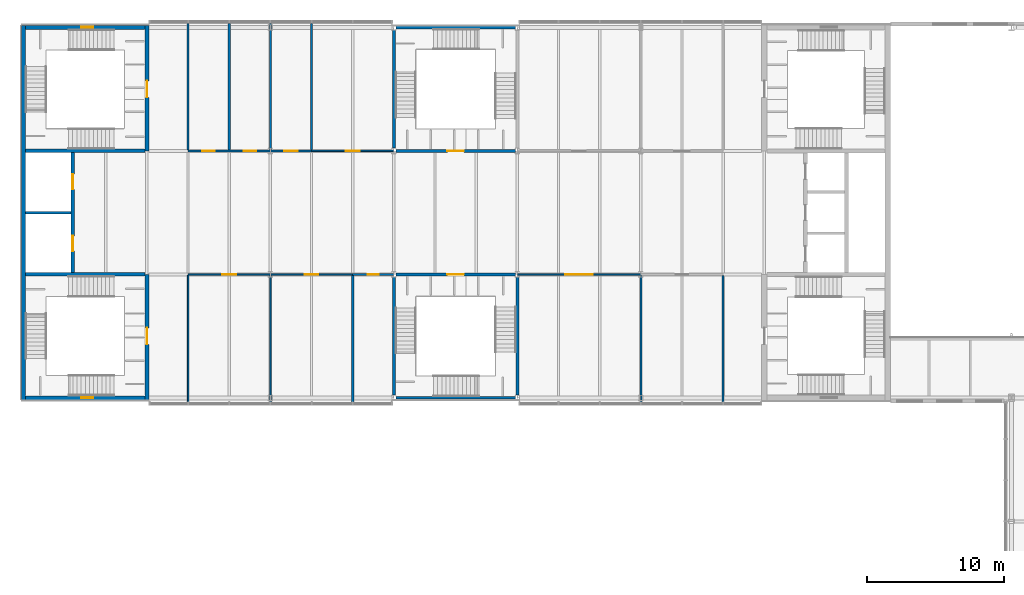
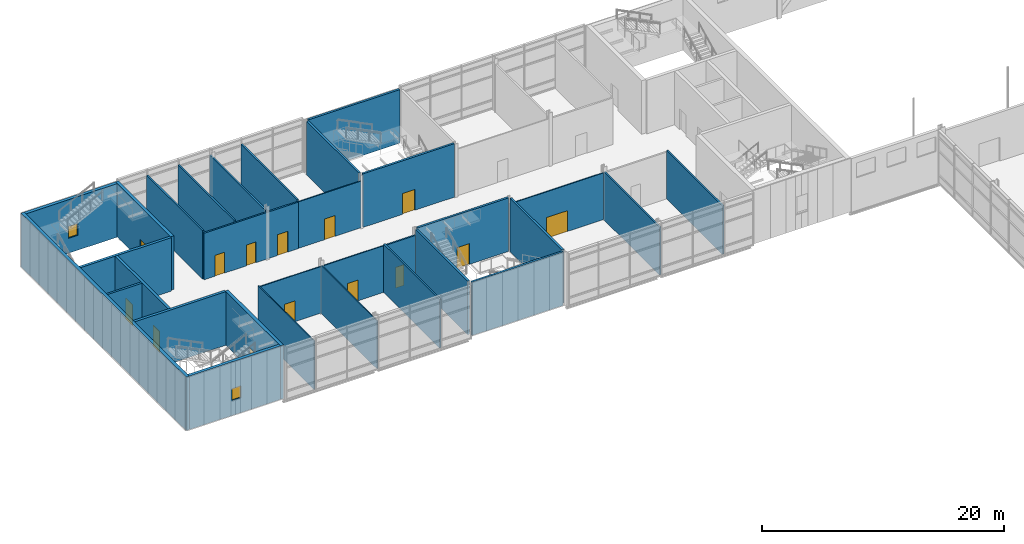
# One storey, part 39 of 56: 30 walls, 14 doors, 2 windows, 16 openings.
"""IFC4 building model written with IfcOpenShell, lengths in metres."""

from ifc_helpers import new_model, si_unit, direction, frame, frame_2d, origin, place, context, subcontext, project, spatial, rectangle, extrude, material, layer, layer_set, type_object, element, fill, save


model = new_model("IFC4")

# Units and contexts
model_context = context("Model", 3, precision=1e-05, world=origin(), true_north=direction((0.0, 1.0)))
body_context = subcontext(model_context, "Body", "Model", "MODEL_VIEW")
ifc_project = project(units=[si_unit("LENGTHUNIT", "METRE"), si_unit("AREAUNIT", "SQUARE_METRE"), si_unit("VOLUMEUNIT", "CUBIC_METRE"), si_unit("PLANEANGLEUNIT", "RADIAN"), si_unit("MASSUNIT", "GRAM", prefix="KILO")], contexts=[model_context])

# Site, building, storey
site_placement = place(None, origin())
site = spatial("IfcSite", under=ifc_project, at=site_placement, CompositionType="ELEMENT")
building_placement = place(site_placement, origin())
building = spatial("IfcBuilding", under=site, at=building_placement, Name="Azimuth Sports and Learning Centre", CompositionType="ELEMENT")
storey_placement = place(building_placement, frame((0.0, 0.0, 5.39990234375)))
storey = spatial("IfcBuildingStorey", under=building, at=storey_placement, Name="L01", CompositionType="ELEMENT", Elevation=5.39990234375)

# Wall
ifc_material_1 = material(Name="Dense masonry blockwork", Category="masonry")
ifc_layer_1 = layer(ifc_material_1, 0.199951171875)
ifc_layer_set_1 = layer_set([ifc_layer_1], Name="Dense masonry blockwork")
wall_type_1 = type_object("IfcWallType", Name="Blockwork wall 200 EI 120", PredefinedType="SOLIDWALL", material=ifc_layer_set_1)
wall_1_placement = place(storey_placement, frame((0.14990234375, 103.5, 0.0), z_axis=(0.0, 0.0, 1.0), x_axis=(1.0, 0.0, 0.0)))
element("IfcWall", 1, at=wall_1_placement, inside=storey, type_object=wall_type_1, Name="SD-WW-1-L01", PredefinedType="SOLIDWALL", context=body_context, shape_type="SweptSolid", body=[
    extrude(rectangle(XDim=3.3251953125, YDim=0.199951171875, at=frame_2d((1.66259765625, 0.0))), origin(), (0.0, 0.0, 1.0), 5.400146484375),
])

# Wall, openings, doors
ifc_material_2 = material(Name="Gypsum board on steel studs", Category="steel")
ifc_layer_2 = layer(ifc_material_2, 0.10009765625)
ifc_layer_set_2 = layer_set([ifc_layer_2], Name="Gypsum board on steel studs")
wall_type_2 = type_object("IfcWallType", Name="Partition 100 EI 30", PredefinedType="PARTITIONING", material=ifc_layer_set_2)
wall_2_placement = place(storey_placement, frame((12.0, 99.0, 0.0), z_axis=(0.0, 0.0, 1.0), x_axis=(1.0, 0.0, 0.0)))
wall_2 = element("IfcWall", 2, at=wall_2_placement, inside=storey, type_object=wall_type_2, Name="Partition 100 EI 30", PredefinedType="PARTITIONING", context=body_context, shape_type="SweptSolid", body=[
    extrude(rectangle(XDim=12.0, YDim=0.10009765625, at=frame_2d((6.0, 0.0))), origin(), (0.0, 0.0, 1.0), 4.7001953125),
])
opening_1_placement = place(wall_2_placement, frame((2.5, 0.0, 0.0)))
opening_1 = element("IfcOpeningElement", 3, at=opening_1_placement, cuts=wall_2, Name="Opening D01-034", PredefinedType="OPENING", context=body_context, shape_type="SweptSolid", body=[
    extrude(rectangle(XDim=1.0, YDim=2.10009765625, at=frame_2d((0.5, 1.050048828125))), frame((0.0, 0.06103515625, 0.0), z_axis=(0.0, -1.0, 0.0), x_axis=(1.0, 0.0, 0.0)), (0.0, 0.0, 1.0), 0.1220703125),
])
opening_2_placement = place(wall_2_placement, frame((8.5, 0.0, 0.0)))
opening_2 = element("IfcOpeningElement", 4, at=opening_2_placement, cuts=wall_2, Name="Opening D01-035", PredefinedType="OPENING", context=body_context, shape_type="SweptSolid", body=[
    extrude(rectangle(XDim=1.0, YDim=2.10009765625, at=frame_2d((0.5, 1.050048828125))), frame((0.0, 0.06103515625, 0.0), z_axis=(0.0, -1.0, 0.0), x_axis=(1.0, 0.0, 0.0)), (0.0, 0.0, 1.0), 0.1220703125),
])
ifc_material_3 = material(Name="Timber fire door set", Category="wood")
door_type_1 = type_object("IfcDoorType", Name="Timber door single 1000x2100 FD30S", OperationType="NOTDEFINED", PredefinedType="DOOR", material=ifc_material_3)
door_1_placement = place(opening_1_placement, frame((1.0, 0.0, 0.0), z_axis=(0.0, 0.0, 1.0), x_axis=(-1.0, 0.0, 0.0)))
door_1 = element("IfcDoor", 5, at=door_1_placement, inside=storey, type_object=door_type_1, Name="Door D01-034", OperationType="SINGLE_SWING_RIGHT", OverallHeight=2.10009765625, OverallWidth=1.0, PredefinedType="DOOR", context=body_context, shape_type="SweptSolid", body=[
    extrude(rectangle(XDim=1.0, YDim=2.10009765625, at=frame_2d((0.5, 1.050048828125))), frame((0.0, 0.02490234375, 0.0), z_axis=(0.0, -1.0, 0.0), x_axis=(1.0, 0.0, 0.0)), (0.0, 0.0, 1.0), 0.050048828125),
])
fill(opening_1, door_1)
door_2_placement = place(opening_2_placement, frame((1.0, 0.0, 0.0), z_axis=(0.0, 0.0, 1.0), x_axis=(-1.0, 0.0, 0.0)))
door_2 = element("IfcDoor", 6, at=door_2_placement, inside=storey, type_object=door_type_1, Name="Door D01-035", OperationType="SINGLE_SWING_RIGHT", OverallHeight=2.10009765625, OverallWidth=1.0, PredefinedType="DOOR", context=body_context, shape_type="SweptSolid", body=[
    extrude(rectangle(XDim=1.0, YDim=2.10009765625, at=frame_2d((0.5, 1.050048828125))), frame((0.0, 0.02490234375, 0.0), z_axis=(0.0, -1.0, 0.0), x_axis=(1.0, 0.0, 0.0)), (0.0, 0.0, 1.0), 0.050048828125),
])
fill(opening_2, door_2)

# Wall, opening, door
wall_3_placement = place(storey_placement, frame((36.0, 99.0, 0.0), z_axis=(0.0, 0.0, 1.0), x_axis=(1.0, 0.0, 0.0)))
wall_3 = element("IfcWall", 7, at=wall_3_placement, inside=storey, type_object=wall_type_2, Name="Partition 100 EI 30", PredefinedType="PARTITIONING", context=body_context, shape_type="SweptSolid", body=[
    extrude(rectangle(XDim=9.0, YDim=0.10009765625, at=frame_2d((4.5, 0.0))), origin(), (0.0, 0.0, 1.0), 4.7001953125),
])
opening_3_placement = place(wall_3_placement, frame((3.5, 0.0, 0.0)))
opening_3 = element("IfcOpeningElement", 8, at=opening_3_placement, cuts=wall_3, Name="Opening D01-037", PredefinedType="OPENING", context=body_context, shape_type="SweptSolid", body=[
    extrude(rectangle(XDim=2.0, YDim=2.10009765625, at=frame_2d((1.0, 1.050048828125))), frame((0.0, 0.06103515625, 0.0), z_axis=(0.0, -1.0, 0.0), x_axis=(1.0, 0.0, 0.0)), (0.0, 0.0, 1.0), 0.1220703125),
])
ifc_material_4 = material(Name="Timber fire door set", Category="wood")
door_type_2 = type_object("IfcDoorType", Name="Timber door double 2000x2100 FD30S", OperationType="DOUBLE_DOOR_SINGLE_SWING", PredefinedType="DOOR", material=ifc_material_4)
door_3_placement = place(opening_3_placement, frame((2.0, 0.0, 0.0), z_axis=(0.0, 0.0, 1.0), x_axis=(-1.0, 0.0, 0.0)))
door_3 = element("IfcDoor", 9, at=door_3_placement, inside=storey, type_object=door_type_2, Name="Door D01-037", OperationType="DOUBLE_DOOR_SINGLE_SWING", OverallHeight=2.10009765625, OverallWidth=2.0, PredefinedType="DOOR", context=body_context, shape_type="SweptSolid", body=[
    extrude(rectangle(XDim=2.0, YDim=2.10009765625, at=frame_2d((1.0, 1.050048828125))), frame((0.0, 0.02490234375, 0.0), z_axis=(0.0, -1.0, 0.0), x_axis=(1.0, 0.0, 0.0)), (0.0, 0.0, 1.0), 0.050048828125),
])
fill(opening_3, door_3)

wall_4_placement = place(storey_placement, frame((21.0, 108.0, 0.0), z_axis=(0.0, 0.0, 1.0), x_axis=(1.0, 0.0, 0.0)))
wall_4 = element("IfcWall", 10, at=wall_4_placement, inside=storey, type_object=wall_type_2, Name="Partition 100 EI 30", PredefinedType="PARTITIONING", context=body_context, shape_type="SweptSolid", body=[
    extrude(rectangle(XDim=6.0, YDim=0.10009765625, at=frame_2d((3.0, 0.0))), origin(), (0.0, 0.0, 1.0), 4.7001953125),
])
opening_4_placement = place(wall_4_placement, frame((2.5, 0.0, 0.0)))
opening_4 = element("IfcOpeningElement", 11, at=opening_4_placement, cuts=wall_4, Name="Opening D01-042", PredefinedType="OPENING", context=body_context, shape_type="SweptSolid", body=[
    extrude(rectangle(XDim=1.0, YDim=2.10009765625, at=frame_2d((0.5, 1.050048828125))), frame((0.0, 0.06103515625, 0.0), z_axis=(0.0, -1.0, 0.0), x_axis=(1.0, 0.0, 0.0)), (0.0, 0.0, 1.0), 0.1220703125),
])
door_4_placement = place(opening_4_placement, origin())
door_4 = element("IfcDoor", 12, at=door_4_placement, inside=storey, type_object=door_type_1, Name="Door D01-042", OperationType="SINGLE_SWING_LEFT", OverallHeight=2.10009765625, OverallWidth=1.0, PredefinedType="DOOR", context=body_context, shape_type="SweptSolid", body=[
    extrude(rectangle(XDim=1.0, YDim=2.10009765625, at=frame_2d((0.5, 1.050048828125))), frame((0.0, 0.02490234375, 0.0), z_axis=(0.0, -1.0, 0.0), x_axis=(1.0, 0.0, 0.0)), (0.0, 0.0, 1.0), 0.050048828125),
])
fill(opening_4, door_4)

# Walls
wall_5_placement = place(storey_placement, frame((12.0, 89.699951171875, 0.0), z_axis=(0.0, 0.0, 1.0), x_axis=(0.0, 1.0, 0.0)))
element("IfcWall", 13, at=wall_5_placement, inside=storey, type_object=wall_type_2, Name="Partition 100 EI 30", PredefinedType="PARTITIONING", context=body_context, shape_type="SweptSolid", body=[
    extrude(rectangle(XDim=9.25, YDim=0.10009765625, at=frame_2d((4.625, 0.0))), origin(), (0.0, 0.0, 1.0), 4.89013671875),
])
wall_6_placement = place(storey_placement, frame((18.0, 89.699951171875, 0.0), z_axis=(0.0, 0.0, 1.0), x_axis=(0.0, 1.0, 0.0)))
element("IfcWall", 14, at=wall_6_placement, inside=storey, type_object=wall_type_2, Name="Partition 100 EI 30", PredefinedType="PARTITIONING", context=body_context, shape_type="SweptSolid", body=[
    extrude(rectangle(XDim=9.25, YDim=0.10009765625, at=frame_2d((4.625, 0.0))), origin(), (0.0, 0.0, 1.0), 4.85009765625),
])

# Wall, opening, door
ifc_material_5 = material(Name="Lightweight blockwork, rendered", Category="masonry")
ifc_layer_3 = layer(ifc_material_5, 0.14990234375)
ifc_layer_set_3 = layer_set([ifc_layer_3], Name="Lightweight blockwork, rendered")
wall_type_3 = type_object("IfcWallType", Name="Partition 150 EI 60", PredefinedType="PARTITIONING", material=ifc_layer_set_3)
wall_7_placement = place(storey_placement, frame((24.0, 99.0, 0.0), z_axis=(0.0, 0.0, 1.0), x_axis=(1.0, 0.0, 0.0)))
wall_7 = element("IfcWall", 15, at=wall_7_placement, inside=storey, type_object=wall_type_3, Name="Partition 150 EI 60", PredefinedType="PARTITIONING", context=body_context, shape_type="SweptSolid", body=[
    extrude(rectangle(XDim=3.0, YDim=0.14990234375, at=frame_2d((1.5, 0.0))), origin(), (0.0, 0.0, 1.0), 4.7001953125),
])
opening_5_placement = place(wall_7_placement, frame((1.10009765625, 0.0, 0.0)))
opening_5 = element("IfcOpeningElement", 16, at=opening_5_placement, cuts=wall_7, Name="Opening D01-036", PredefinedType="OPENING", context=body_context, shape_type="SweptSolid", body=[
    extrude(rectangle(XDim=0.800048828125, YDim=2.10009765625, at=frame_2d((0.39990234375, 1.050048828125))), frame((0.0, 0.0859375, 0.0), z_axis=(0.0, -1.0, 0.0), x_axis=(1.0, 0.0, 0.0)), (0.0, 0.0, 1.0), 0.171875),
])
ifc_material_6 = material(Name="Timber fire door set", Category="wood")
door_type_3 = type_object("IfcDoorType", Name="Timber door single 800x2100 FD60", OperationType="NOTDEFINED", PredefinedType="DOOR", material=ifc_material_6)
door_5_placement = place(opening_5_placement, frame((0.800048828125, 0.0, 0.0), z_axis=(0.0, 0.0, 1.0), x_axis=(-1.0, 0.0, 0.0)))
door_5 = element("IfcDoor", 17, at=door_5_placement, inside=storey, type_object=door_type_3, Name="Door D01-036", OperationType="SINGLE_SWING_LEFT", OverallHeight=2.10009765625, OverallWidth=0.800048828125, PredefinedType="DOOR", context=body_context, shape_type="SweptSolid", body=[
    extrude(rectangle(XDim=0.800048828125, YDim=2.10009765625, at=frame_2d((0.39990234375, 1.050048828125))), frame((0.0, 0.02490234375, 0.0), z_axis=(0.0, -1.0, 0.0), x_axis=(1.0, 0.0, 0.0)), (0.0, 0.0, 1.0), 0.050048828125),
])
fill(opening_5, door_5)

# Wall, openings, doors
wall_8_placement = place(storey_placement, frame((12.0, 108.0, 0.0), z_axis=(0.0, 0.0, 1.0), x_axis=(1.0, 0.0, 0.0)))
wall_8 = element("IfcWall", 18, at=wall_8_placement, inside=storey, type_object=wall_type_3, Name="Partition 150 EI 60", PredefinedType="PARTITIONING", context=body_context, shape_type="SweptSolid", body=[
    extrude(rectangle(XDim=9.0, YDim=0.14990234375, at=frame_2d((4.5, 0.0))), origin(), (0.0, 0.0, 1.0), 4.7001953125),
])
opening_6_placement = place(wall_8_placement, frame((1.050048828125, 0.0, 0.0)))
opening_6 = element("IfcOpeningElement", 19, at=opening_6_placement, cuts=wall_8, Name="Opening D01-039", PredefinedType="OPENING", context=body_context, shape_type="SweptSolid", body=[
    extrude(rectangle(XDim=0.89990234375, YDim=2.10009765625, at=frame_2d((0.449951171875, 1.050048828125))), frame((0.0, 0.0859375, 0.0), z_axis=(0.0, -1.0, 0.0), x_axis=(1.0, 0.0, 0.0)), (0.0, 0.0, 1.0), 0.171875),
])
opening_7_placement = place(wall_8_placement, frame((4.050048828125, 0.0, 0.0)))
opening_7 = element("IfcOpeningElement", 20, at=opening_7_placement, cuts=wall_8, Name="Opening D01-040", PredefinedType="OPENING", context=body_context, shape_type="SweptSolid", body=[
    extrude(rectangle(XDim=0.89990234375, YDim=2.10009765625, at=frame_2d((0.449951171875, 1.050048828125))), frame((0.0, 0.0859375, 0.0), z_axis=(0.0, -1.0, 0.0), x_axis=(1.0, 0.0, 0.0)), (0.0, 0.0, 1.0), 0.171875),
])
opening_8_placement = place(wall_8_placement, frame((7.0, 0.0, 0.0)))
opening_8 = element("IfcOpeningElement", 21, at=opening_8_placement, cuts=wall_8, Name="Opening D01-041", PredefinedType="OPENING", context=body_context, shape_type="SweptSolid", body=[
    extrude(rectangle(XDim=1.0, YDim=2.10009765625, at=frame_2d((0.5, 1.050048828125))), frame((0.0, 0.0859375, 0.0), z_axis=(0.0, -1.0, 0.0), x_axis=(1.0, 0.0, 0.0)), (0.0, 0.0, 1.0), 0.171875),
])
ifc_material_7 = material(Name="Timber fire door set", Category="wood")
door_type_4 = type_object("IfcDoorType", Name="Timber door single 1000x2100 FD60", OperationType="NOTDEFINED", PredefinedType="DOOR", material=ifc_material_7)
door_6_placement = place(opening_8_placement, origin())
door_6 = element("IfcDoor", 22, at=door_6_placement, inside=storey, type_object=door_type_4, Name="Door D01-041", OperationType="SINGLE_SWING_LEFT", OverallHeight=2.10009765625, OverallWidth=1.0, PredefinedType="DOOR", context=body_context, shape_type="SweptSolid", body=[
    extrude(rectangle(XDim=1.0, YDim=2.10009765625, at=frame_2d((0.5, 1.050048828125))), frame((0.0, 0.02490234375, 0.0), z_axis=(0.0, -1.0, 0.0), x_axis=(1.0, 0.0, 0.0)), (0.0, 0.0, 1.0), 0.050048828125),
])
fill(opening_8, door_6)
ifc_material_8 = material(Name="Timber fire door set", Category="wood")
door_type_5 = type_object("IfcDoorType", Name="Timber door single 900x2100 FD60", OperationType="NOTDEFINED", PredefinedType="DOOR", material=ifc_material_8)
door_7_placement = place(opening_6_placement, origin())
door_7 = element("IfcDoor", 23, at=door_7_placement, inside=storey, type_object=door_type_5, Name="Door D01-039", OperationType="SINGLE_SWING_RIGHT", OverallHeight=2.10009765625, OverallWidth=0.89990234375, PredefinedType="DOOR", context=body_context, shape_type="SweptSolid", body=[
    extrude(rectangle(XDim=0.89990234375, YDim=2.10009765625, at=frame_2d((0.449951171875, 1.050048828125))), frame((0.0, 0.02490234375, 0.0), z_axis=(0.0, -1.0, 0.0), x_axis=(1.0, 0.0, 0.0)), (0.0, 0.0, 1.0), 0.050048828125),
])
fill(opening_6, door_7)
door_8_placement = place(opening_7_placement, origin())
door_8 = element("IfcDoor", 24, at=door_8_placement, inside=storey, type_object=door_type_5, Name="Door D01-040", OperationType="SINGLE_SWING_LEFT", OverallHeight=2.10009765625, OverallWidth=0.89990234375, PredefinedType="DOOR", context=body_context, shape_type="SweptSolid", body=[
    extrude(rectangle(XDim=0.89990234375, YDim=2.10009765625, at=frame_2d((0.449951171875, 1.050048828125))), frame((0.0, 0.02490234375, 0.0), z_axis=(0.0, -1.0, 0.0), x_axis=(1.0, 0.0, 0.0)), (0.0, 0.0, 1.0), 0.050048828125),
])
fill(opening_7, door_8)

# Walls
for number, where, z_axis, x_axis, name in (
    (25, (12.0, 108.074951171875, 0.0), (0.0, 0.0, 1.0), (0.0, 1.0, 0.0), "Partition 150 EI 60"),
    (26, (15.0, 108.074951171875, 0.0), (0.0, 0.0, 1.0), (0.0, 1.0, 0.0), "Partition 150 EI 60"),
):
    element("IfcWall", number, at=place(storey_placement, frame(where, z_axis=z_axis, x_axis=x_axis)), inside=storey, type_object=wall_type_3, Name=name, PredefinedType="PARTITIONING", context=body_context, shape_type="SweptSolid", body=[
        extrude(rectangle(XDim=9.22509765625, YDim=0.14990234375, at=frame_2d((4.612548828125, 0.0))), origin(), (0.0, 0.0, 1.0), 4.89013671875),
    ])
wall_9_placement = place(storey_placement, frame((18.0, 108.074951171875, 0.0), z_axis=(0.0, 0.0, 1.0), x_axis=(0.0, 1.0, 0.0)))
element("IfcWall", 27, at=wall_9_placement, inside=storey, type_object=wall_type_3, Name="Partition 150 EI 60", PredefinedType="PARTITIONING", context=body_context, shape_type="SweptSolid", body=[
    extrude(rectangle(XDim=9.22509765625, YDim=0.14990234375, at=frame_2d((4.612548828125, 0.0))), origin(), (0.0, 0.0, 1.0), 4.85009765625),
])
for number, where, z_axis, x_axis, name in (
    (28, (21.0, 108.074951171875, 0.0), (0.0, 0.0, 1.0), (0.0, 1.0, 0.0), "Partition 150 EI 60"),
    (29, (24.0, 89.699951171875, 0.0), (0.0, 0.0, 1.0), (0.0, 1.0, 0.0), "Partition 150 EI 60"),
):
    element("IfcWall", number, at=place(storey_placement, frame(where, z_axis=z_axis, x_axis=x_axis)), inside=storey, type_object=wall_type_3, Name=name, PredefinedType="PARTITIONING", context=body_context, shape_type="SweptSolid", body=[
        extrude(rectangle(XDim=9.22509765625, YDim=0.14990234375, at=frame_2d((4.612548828125, 0.0))), origin(), (0.0, 0.0, 1.0), 4.89013671875),
    ])
wall_10_placement = place(storey_placement, frame((45.0, 89.699951171875, 0.0), z_axis=(0.0, 0.0, 1.0), x_axis=(0.0, 1.0, 0.0)))
element("IfcWall", 30, at=wall_10_placement, inside=storey, type_object=wall_type_3, Name="Partition 150 EI 60", PredefinedType="PARTITIONING", context=body_context, shape_type="SweptSolid", body=[
    extrude(rectangle(XDim=9.22509765625, YDim=0.14990234375, at=frame_2d((4.612548828125, 0.0))), origin(), (0.0, 0.0, 1.0), 4.85009765625),
])
wall_11_placement = place(storey_placement, frame((51.0, 89.699951171875, 0.0), z_axis=(0.0, 0.0, 1.0), x_axis=(0.0, 1.0, 0.0)))
element("IfcWall", 31, at=wall_11_placement, inside=storey, type_object=wall_type_3, Name="Partition 150 EI 60", PredefinedType="PARTITIONING", context=body_context, shape_type="SweptSolid", body=[
    extrude(rectangle(XDim=9.22509765625, YDim=0.14990234375, at=frame_2d((4.612548828125, 0.0))), origin(), (0.0, 0.0, 1.0), 4.89013671875),
])

# Wall, opening, door
ifc_material_9 = material(Name="Concrete C40/50", Category="concrete")
ifc_layer_4 = layer(ifc_material_9, 0.199951171875)
ifc_layer_set_4 = layer_set([ifc_layer_4], Name="Concrete C40/50")
wall_type_4 = type_object("IfcWallType", Name="RC cell wall 200 EI 120", PredefinedType="SHEAR", material=ifc_layer_set_4)
wall_12_placement = place(storey_placement, frame((27.14990234375, 99.0, 0.0), z_axis=(0.0, 0.0, 1.0), x_axis=(1.0, 0.0, 0.0)))
wall_12 = element("IfcWall", 32, at=wall_12_placement, inside=storey, type_object=wall_type_4, Name="CE-WM1-N-L01", PredefinedType="SHEAR", context=body_context, shape_type="SweptSolid", body=[
    extrude(rectangle(XDim=8.7001953125, YDim=0.199951171875, at=frame_2d((4.35009765625, 0.0))), origin(), (0.0, 0.0, 1.0), 5.400146484375),
])
opening_9_placement = place(wall_12_placement, frame((3.75, 0.0, 0.0)))
opening_9 = element("IfcOpeningElement", 33, at=opening_9_placement, cuts=wall_12, Name="Opening D01-010", PredefinedType="OPENING", context=body_context, shape_type="SweptSolid", body=[
    extrude(rectangle(XDim=1.199951171875, YDim=2.10009765625, at=frame_2d((0.60009765625, 1.050048828125))), frame((0.0, 0.11083984375, 0.0), z_axis=(0.0, -1.0, 0.0), x_axis=(1.0, 0.0, 0.0)), (0.0, 0.0, 1.0), 0.221923828125),
])
ifc_material_10 = material(Name="Steel", Category="steel")
door_type_6 = type_object("IfcDoorType", Name="Stair fire door 1200 x 2100", OperationType="NOTDEFINED", PredefinedType="DOOR", material=ifc_material_10)
door_9_placement = place(opening_9_placement, origin())
door_9 = element("IfcDoor", 34, at=door_9_placement, inside=storey, type_object=door_type_6, Name="Stair door WM1 L01", OperationType="SINGLE_SWING_LEFT", OverallHeight=2.10009765625, OverallWidth=1.199951171875, PredefinedType="DOOR", context=body_context, shape_type="SweptSolid", body=[
    extrude(rectangle(XDim=1.199951171875, YDim=2.10009765625, at=frame_2d((0.60009765625, 1.050048828125))), frame((0.0, 0.02490234375, 0.0), z_axis=(0.0, -1.0, 0.0), x_axis=(1.0, 0.0, 0.0)), (0.0, 0.0, 1.0), 0.050048828125),
])
fill(opening_9, door_9)

# Walls
for number, where, z_axis, x_axis, name in (
    (35, (27.0, 90.199951171875, 0.0), (0.0, 0.0, 1.0), (0.0, 1.0, 0.0), "CE-WM1-W-L01"),
    (36, (36.0, 90.199951171875, 0.0), (0.0, 0.0, 1.0), (0.0, 1.0, 0.0), "CE-WM1-E-L01"),
):
    element("IfcWall", number, at=place(storey_placement, frame(where, z_axis=z_axis, x_axis=x_axis)), inside=storey, type_object=wall_type_4, Name=name, PredefinedType="SHEAR", context=body_context, shape_type="SweptSolid", body=[
        extrude(rectangle(XDim=8.60009765625, YDim=0.199951171875, at=frame_2d((4.300048828125, 0.0))), origin(), (0.0, 0.0, 1.0), 5.400146484375),
    ])

# Wall, opening, door
wall_13_placement = place(storey_placement, frame((27.14990234375, 108.0, 0.0), z_axis=(0.0, 0.0, 1.0), x_axis=(1.0, 0.0, 0.0)))
wall_13 = element("IfcWall", 37, at=wall_13_placement, inside=storey, type_object=wall_type_4, Name="CE-WM2-S-L01", PredefinedType="SHEAR", context=body_context, shape_type="SweptSolid", body=[
    extrude(rectangle(XDim=8.7001953125, YDim=0.199951171875, at=frame_2d((4.35009765625, 0.0))), origin(), (0.0, 0.0, 1.0), 5.400146484375),
])
opening_10_placement = place(wall_13_placement, frame((3.75, 0.0, 0.0)))
opening_10 = element("IfcOpeningElement", 38, at=opening_10_placement, cuts=wall_13, Name="Opening D01-011", PredefinedType="OPENING", context=body_context, shape_type="SweptSolid", body=[
    extrude(rectangle(XDim=1.199951171875, YDim=2.10009765625, at=frame_2d((0.60009765625, 1.050048828125))), frame((0.0, 0.11083984375, 0.0), z_axis=(0.0, -1.0, 0.0), x_axis=(1.0, 0.0, 0.0)), (0.0, 0.0, 1.0), 0.221923828125),
])
door_10_placement = place(opening_10_placement, frame((1.199951171875, 0.0, 0.0), z_axis=(0.0, 0.0, 1.0), x_axis=(-1.0, 0.0, 0.0)))
door_10 = element("IfcDoor", 39, at=door_10_placement, inside=storey, type_object=door_type_6, Name="Stair door WM2 L01", OperationType="SINGLE_SWING_RIGHT", OverallHeight=2.10009765625, OverallWidth=1.199951171875, PredefinedType="DOOR", context=body_context, shape_type="SweptSolid", body=[
    extrude(rectangle(XDim=1.199951171875, YDim=2.10009765625, at=frame_2d((0.60009765625, 1.050048828125))), frame((0.0, 0.02490234375, 0.0), z_axis=(0.0, -1.0, 0.0), x_axis=(1.0, 0.0, 0.0)), (0.0, 0.0, 1.0), 0.050048828125),
])
fill(opening_10, door_10)

# Walls
wall_14_placement = place(storey_placement, frame((27.0, 108.199951171875, 0.0), z_axis=(0.0, 0.0, 1.0), x_axis=(0.0, 1.0, 0.0)))
element("IfcWall", 40, at=wall_14_placement, inside=storey, type_object=wall_type_4, Name="CE-WM2-W-L01", PredefinedType="SHEAR", context=body_context, shape_type="SweptSolid", body=[
    extrude(rectangle(XDim=8.60009765625, YDim=0.199951171875, at=frame_2d((4.300048828125, 0.0))), origin(), (0.0, 0.0, 1.0), 5.400146484375),
])
ifc_material_11 = material(Name="Concrete C40/50", Category="concrete")
ifc_layer_5 = layer(ifc_material_11, 0.25)
ifc_layer_set_5 = layer_set([ifc_layer_5], Name="Concrete C40/50")
wall_type_5 = type_object("IfcWallType", Name="RC core wall 250", PredefinedType="SHEAR", material=ifc_layer_set_5)
for number, where, z_axis, x_axis, name in (
    (41, (0.14990234375, 99.0, 0.0), (0.0, 0.0, 1.0), (1.0, 0.0, 0.0), "Core wall WW D1 L01"),
    (42, (0.14990234375, 108.0, 0.0), (0.0, 0.0, 1.0), (1.0, 0.0, 0.0), "Core wall WW D2 L01"),
):
    element("IfcWall", number, at=place(storey_placement, frame(where, z_axis=z_axis, x_axis=x_axis)), inside=storey, type_object=wall_type_5, Name=name, PredefinedType="SHEAR", context=body_context, shape_type="SweptSolid", body=[
        extrude(rectangle(XDim=8.7001953125, YDim=0.25, at=frame_2d((4.35009765625, 0.0))), origin(), (0.0, 0.0, 1.0), 5.400146484375),
    ])

# Wall, openings, doors
wall_15_placement = place(storey_placement, frame((3.60009765625, 99.125, 0.0), z_axis=(0.0, 0.0, 1.0), x_axis=(0.0, 1.0, 0.0)))
wall_15 = element("IfcWall", 43, at=wall_15_placement, inside=storey, type_object=wall_type_5, Name="Core wall WW LB1 L01", PredefinedType="SHEAR", context=body_context, shape_type="SweptSolid", body=[
    extrude(rectangle(XDim=8.75, YDim=0.25, at=frame_2d((4.375, 0.0))), origin(), (0.0, 0.0, 1.0), 5.400146484375),
])
opening_11_placement = place(wall_15_placement, frame((1.574951171875, 0.0, 0.0)))
opening_11 = element("IfcOpeningElement", 44, at=opening_11_placement, cuts=wall_15, Name="Opening D01-028", PredefinedType="OPENING", context=body_context, shape_type="SweptSolid", body=[
    extrude(rectangle(XDim=1.10009765625, YDim=2.10009765625, at=frame_2d((0.550048828125, 1.050048828125))), frame((0.0, 0.135986328125, 0.0), z_axis=(0.0, -1.0, 0.0), x_axis=(1.0, 0.0, 0.0)), (0.0, 0.0, 1.0), 0.27197265625),
])
opening_12_placement = place(wall_15_placement, frame((6.074951171875, 0.0, 0.0)))
opening_12 = element("IfcOpeningElement", 45, at=opening_12_placement, cuts=wall_15, Name="Opening D01-029", PredefinedType="OPENING", context=body_context, shape_type="SweptSolid", body=[
    extrude(rectangle(XDim=1.10009765625, YDim=2.10009765625, at=frame_2d((0.550048828125, 1.050048828125))), frame((0.0, 0.135986328125, 0.0), z_axis=(0.0, -1.0, 0.0), x_axis=(1.0, 0.0, 0.0)), (0.0, 0.0, 1.0), 0.27197265625),
])
ifc_material_12 = material(Name="Stainless steel", Category="steel")
door_type_7 = type_object("IfcDoorType", Name="Lift landing door 1100 x 2100", OperationType="DOUBLE_DOOR_SLIDING", PredefinedType="DOOR", material=ifc_material_12)
door_11_placement = place(opening_11_placement, origin())
door_11 = element("IfcDoor", 46, at=door_11_placement, inside=storey, type_object=door_type_7, Name="Landing door LWW1 L01", OperationType="DOUBLE_DOOR_SLIDING", OverallHeight=2.10009765625, OverallWidth=1.10009765625, PredefinedType="DOOR", context=body_context, shape_type="SweptSolid", body=[
    extrude(rectangle(XDim=1.10009765625, YDim=2.10009765625, at=frame_2d((0.550048828125, 1.050048828125))), frame((0.0, 0.02490234375, 0.0), z_axis=(0.0, -1.0, 0.0), x_axis=(1.0, 0.0, 0.0)), (0.0, 0.0, 1.0), 0.050048828125),
])
fill(opening_11, door_11)
door_12_placement = place(opening_12_placement, origin())
door_12 = element("IfcDoor", 47, at=door_12_placement, inside=storey, type_object=door_type_7, Name="Landing door LWW2 L01", OperationType="DOUBLE_DOOR_SLIDING", OverallHeight=2.10009765625, OverallWidth=1.10009765625, PredefinedType="DOOR", context=body_context, shape_type="SweptSolid", body=[
    extrude(rectangle(XDim=1.10009765625, YDim=2.10009765625, at=frame_2d((0.550048828125, 1.050048828125))), frame((0.0, 0.02490234375, 0.0), z_axis=(0.0, -1.0, 0.0), x_axis=(1.0, 0.0, 0.0)), (0.0, 0.0, 1.0), 0.050048828125),
])
fill(opening_12, door_12)

# Wall, opening, door
ifc_material_13 = material(Name="Concrete C40/50", Category="concrete")
ifc_layer_6 = layer(ifc_material_13, 0.300048828125)
ifc_layer_set_6 = layer_set([ifc_layer_6], Name="Concrete C40/50")
wall_type_6 = type_object("IfcWallType", Name="RC core wall 300", PredefinedType="SHEAR", material=ifc_layer_set_6)
wall_16_placement = place(storey_placement, frame((9.0, 89.85009765625, 0.0), z_axis=(0.0, 0.0, 1.0), x_axis=(0.0, 1.0, 0.0)))
wall_16 = element("IfcWall", 48, at=wall_16_placement, inside=storey, type_object=wall_type_6, Name="Core wall WW ES L01", PredefinedType="SHEAR", context=body_context, shape_type="SweptSolid", body=[
    extrude(rectangle(XDim=9.14990234375, YDim=0.300048828125, at=frame_2d((4.574951171875, 0.0))), origin(), (0.0, 0.0, 1.0), 5.400146484375),
])
opening_13_placement = place(wall_16_placement, frame((4.050048828125, 0.0, 0.0)))
opening_13 = element("IfcOpeningElement", 49, at=opening_13_placement, cuts=wall_16, Name="Opening D01-006", PredefinedType="OPENING", context=body_context, shape_type="SweptSolid", body=[
    extrude(rectangle(XDim=1.199951171875, YDim=2.10009765625, at=frame_2d((0.60009765625, 1.050048828125))), frame((0.0, 0.1611328125, 0.0), z_axis=(0.0, -1.0, 0.0), x_axis=(1.0, 0.0, 0.0)), (0.0, 0.0, 1.0), 0.322021484375),
])
door_13_placement = place(opening_13_placement, frame((1.199951171875, 0.0, 0.0), z_axis=(0.0, 0.0, 1.0), x_axis=(-1.0, 0.0, 0.0)))
door_13 = element("IfcDoor", 50, at=door_13_placement, inside=storey, type_object=door_type_6, Name="Stair door WW1 L01", OperationType="SINGLE_SWING_LEFT", OverallHeight=2.10009765625, OverallWidth=1.199951171875, PredefinedType="DOOR", context=body_context, shape_type="SweptSolid", body=[
    extrude(rectangle(XDim=1.199951171875, YDim=2.10009765625, at=frame_2d((0.60009765625, 1.050048828125))), frame((0.0, 0.02490234375, 0.0), z_axis=(0.0, -1.0, 0.0), x_axis=(1.0, 0.0, 0.0)), (0.0, 0.0, 1.0), 0.050048828125),
])
fill(opening_13, door_13)

wall_17_placement = place(storey_placement, frame((9.0, 108.0, 0.0), z_axis=(0.0, 0.0, 1.0), x_axis=(0.0, 1.0, 0.0)))
wall_17 = element("IfcWall", 51, at=wall_17_placement, inside=storey, type_object=wall_type_6, Name="Core wall WW EN L01", PredefinedType="SHEAR", context=body_context, shape_type="SweptSolid", body=[
    extrude(rectangle(XDim=9.14990234375, YDim=0.300048828125, at=frame_2d((4.574951171875, 0.0))), origin(), (0.0, 0.0, 1.0), 5.400146484375),
])
opening_14_placement = place(wall_17_placement, frame((3.89990234375, 0.0, 0.0)))
opening_14 = element("IfcOpeningElement", 52, at=opening_14_placement, cuts=wall_17, Name="Opening D01-007", PredefinedType="OPENING", context=body_context, shape_type="SweptSolid", body=[
    extrude(rectangle(XDim=1.199951171875, YDim=2.10009765625, at=frame_2d((0.60009765625, 1.050048828125))), frame((0.0, 0.1611328125, 0.0), z_axis=(0.0, -1.0, 0.0), x_axis=(1.0, 0.0, 0.0)), (0.0, 0.0, 1.0), 0.322021484375),
])
door_14_placement = place(opening_14_placement, frame((1.199951171875, 0.0, 0.0), z_axis=(0.0, 0.0, 1.0), x_axis=(-1.0, 0.0, 0.0)))
door_14 = element("IfcDoor", 53, at=door_14_placement, inside=storey, type_object=door_type_6, Name="Stair door WW2 L01", OperationType="SINGLE_SWING_RIGHT", OverallHeight=2.10009765625, OverallWidth=1.199951171875, PredefinedType="DOOR", context=body_context, shape_type="SweptSolid", body=[
    extrude(rectangle(XDim=1.199951171875, YDim=2.10009765625, at=frame_2d((0.60009765625, 1.050048828125))), frame((0.0, 0.02490234375, 0.0), z_axis=(0.0, -1.0, 0.0), x_axis=(1.0, 0.0, 0.0)), (0.0, 0.0, 1.0), 0.050048828125),
])
fill(opening_14, door_14)

# Walls
ifc_material_14 = material(Name="Concrete C40/50", Category="concrete")
ifc_layer_7 = layer(ifc_material_14, 0.199951171875)
ifc_layer_set_7 = layer_set([ifc_layer_7], Name="Concrete C40/50")
wall_type_7 = type_object("IfcWallType", Name="RC external cell wall 200 EI 120", PredefinedType="SHEAR", material=ifc_layer_set_7)
for number, where, z_axis, x_axis, name in (
    (54, (27.14990234375, 90.0, 0.0), (0.0, 0.0, 1.0), (1.0, 0.0, 0.0), "CE-WM1-S-L01"),
    (55, (27.14990234375, 117.0, 0.0), (0.0, 0.0, 1.0), (1.0, 0.0, 0.0), "CE-WM2-N-L01"),
):
    element("IfcWall", number, at=place(storey_placement, frame(where, z_axis=z_axis, x_axis=x_axis)), inside=storey, type_object=wall_type_7, Name=name, PredefinedType="SHEAR", context=body_context, shape_type="SweptSolid", body=[
        extrude(rectangle(XDim=8.7001953125, YDim=0.199951171875, at=frame_2d((4.35009765625, 0.0))), origin(), (0.0, 0.0, 1.0), 5.400146484375),
    ])

# Wall, opening, window
ifc_material_15 = material(Name="Concrete C40/50", Category="concrete")
ifc_layer_8 = layer(ifc_material_15, 0.300048828125)
ifc_layer_set_8 = layer_set([ifc_layer_8], Name="Concrete C40/50")
wall_type_8 = type_object("IfcWallType", Name="RC external core wall 300", PredefinedType="SHEAR", material=ifc_layer_set_8)
wall_18_placement = place(storey_placement, frame((0.14990234375, 90.0, 0.0), z_axis=(0.0, 0.0, 1.0), x_axis=(1.0, 0.0, 0.0)))
wall_18 = element("IfcWall", 56, at=wall_18_placement, inside=storey, type_object=wall_type_8, Name="Core wall WW S L01", PredefinedType="SHEAR", context=body_context, shape_type="SweptSolid", body=[
    extrude(rectangle(XDim=8.7001953125, YDim=0.300048828125, at=frame_2d((4.35009765625, 0.0))), origin(), (0.0, 0.0, 1.0), 5.400146484375),
])
opening_15_placement = place(wall_18_placement, frame((4.050048828125, 0.0, 1.5)))
opening_15 = element("IfcOpeningElement", 57, at=opening_15_placement, cuts=wall_18, Name="Opening W01-001", PredefinedType="OPENING", context=body_context, shape_type="SweptSolid", body=[
    extrude(rectangle(XDim=0.89990234375, YDim=1.199951171875, at=frame_2d((0.449951171875, 0.60009765625))), frame((0.0, 0.1611328125, 0.0), z_axis=(0.0, -1.0, 0.0), x_axis=(1.0, 0.0, 0.0)), (0.0, 0.0, 1.0), 0.322021484375),
])
ifc_material_16 = material(Name="Aluminium and glass", Category="aluminium")
window_type = type_object("IfcWindowType", Name="Stair window end core 900x1200", PartitioningType="SINGLE_PANEL", PredefinedType="WINDOW", material=ifc_material_16)
window_1_placement = place(opening_15_placement, origin())
window_1 = element("IfcWindow", 58, at=window_1_placement, inside=storey, type_object=window_type, Name="Window W01-001", OverallHeight=1.199951171875, OverallWidth=0.89990234375, PartitioningType="SINGLE_PANEL", PredefinedType="WINDOW", context=body_context, shape_type="SweptSolid", body=[
    extrude(rectangle(XDim=0.89990234375, YDim=1.199951171875, at=frame_2d((0.449951171875, 0.60009765625))), frame((0.0, 0.030029296875, 0.0), z_axis=(0.0, -1.0, 0.0), x_axis=(1.0, 0.0, 0.0)), (0.0, 0.0, 1.0), 0.06005859375),
])
fill(opening_15, window_1)

wall_19_placement = place(storey_placement, frame((0.14990234375, 117.0, 0.0), z_axis=(0.0, 0.0, 1.0), x_axis=(1.0, 0.0, 0.0)))
wall_19 = element("IfcWall", 59, at=wall_19_placement, inside=storey, type_object=wall_type_8, Name="Core wall WW N L01", PredefinedType="SHEAR", context=body_context, shape_type="SweptSolid", body=[
    extrude(rectangle(XDim=8.7001953125, YDim=0.300048828125, at=frame_2d((4.35009765625, 0.0))), origin(), (0.0, 0.0, 1.0), 5.400146484375),
])
opening_16_placement = place(wall_19_placement, frame((4.050048828125, 0.0, 1.5)))
opening_16 = element("IfcOpeningElement", 60, at=opening_16_placement, cuts=wall_19, Name="Opening W01-018", PredefinedType="OPENING", context=body_context, shape_type="SweptSolid", body=[
    extrude(rectangle(XDim=0.89990234375, YDim=1.199951171875, at=frame_2d((0.449951171875, 0.60009765625))), frame((0.0, 0.1611328125, 0.0), z_axis=(0.0, -1.0, 0.0), x_axis=(1.0, 0.0, 0.0)), (0.0, 0.0, 1.0), 0.322021484375),
])
window_2_placement = place(opening_16_placement, origin())
window_2 = element("IfcWindow", 61, at=window_2_placement, inside=storey, type_object=window_type, Name="Window W01-018", OverallHeight=1.199951171875, OverallWidth=0.89990234375, PartitioningType="SINGLE_PANEL", PredefinedType="WINDOW", context=body_context, shape_type="SweptSolid", body=[
    extrude(rectangle(XDim=0.89990234375, YDim=1.199951171875, at=frame_2d((0.449951171875, 0.60009765625))), frame((0.0, 0.030029296875, 0.0), z_axis=(0.0, -1.0, 0.0), x_axis=(1.0, 0.0, 0.0)), (0.0, 0.0, 1.0), 0.06005859375),
])
fill(opening_16, window_2)

# Wall
wall_20_placement = place(storey_placement, frame((0.0, 89.85009765625, 0.0), z_axis=(0.0, 0.0, 1.0), x_axis=(0.0, 1.0, 0.0)))
element("IfcWall", 62, at=wall_20_placement, inside=storey, type_object=wall_type_8, Name="Core wall WW W L01", PredefinedType="SHEAR", context=body_context, shape_type="SweptSolid", body=[
    extrude(rectangle(XDim=27.2998046875, YDim=0.300048828125, at=frame_2d((13.64990234375, 0.0))), origin(), (0.0, 0.0, 1.0), 5.400146484375),
])

save(model, "model.ifc")
